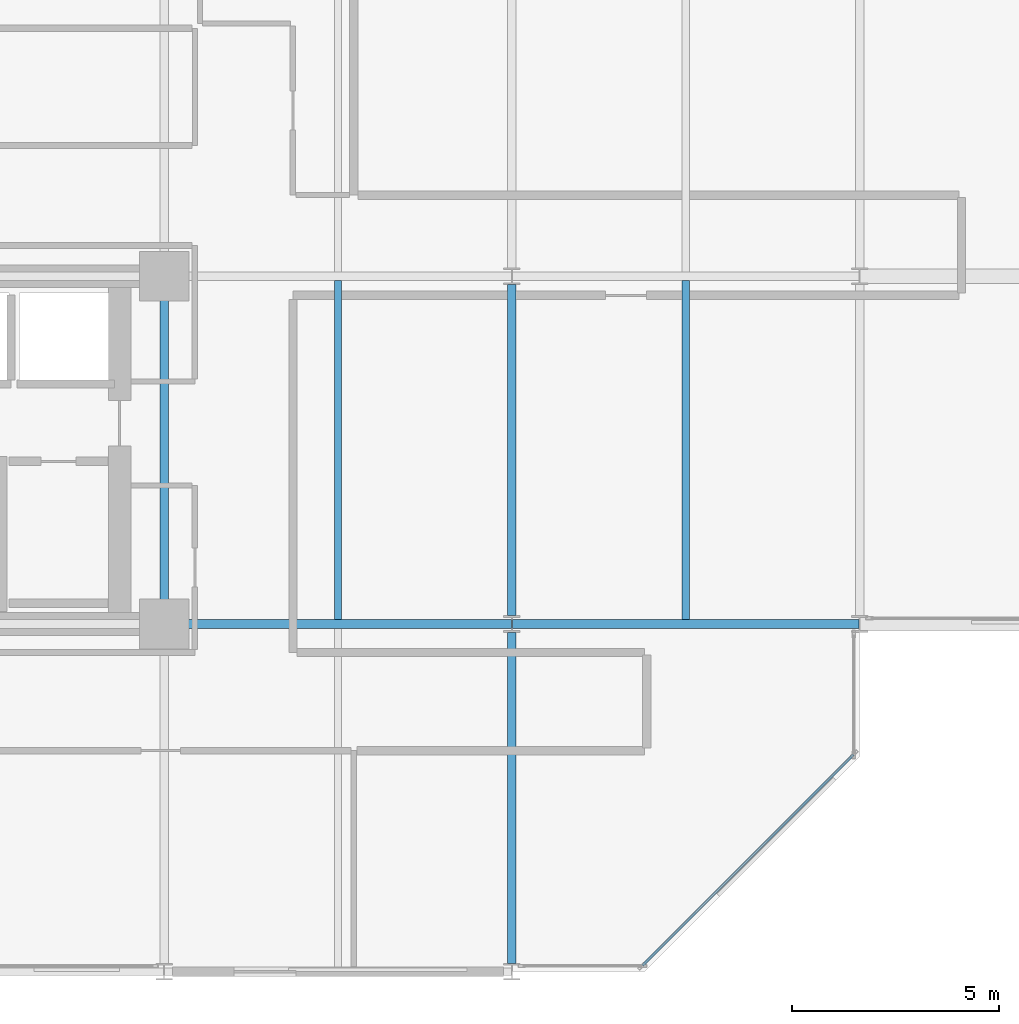
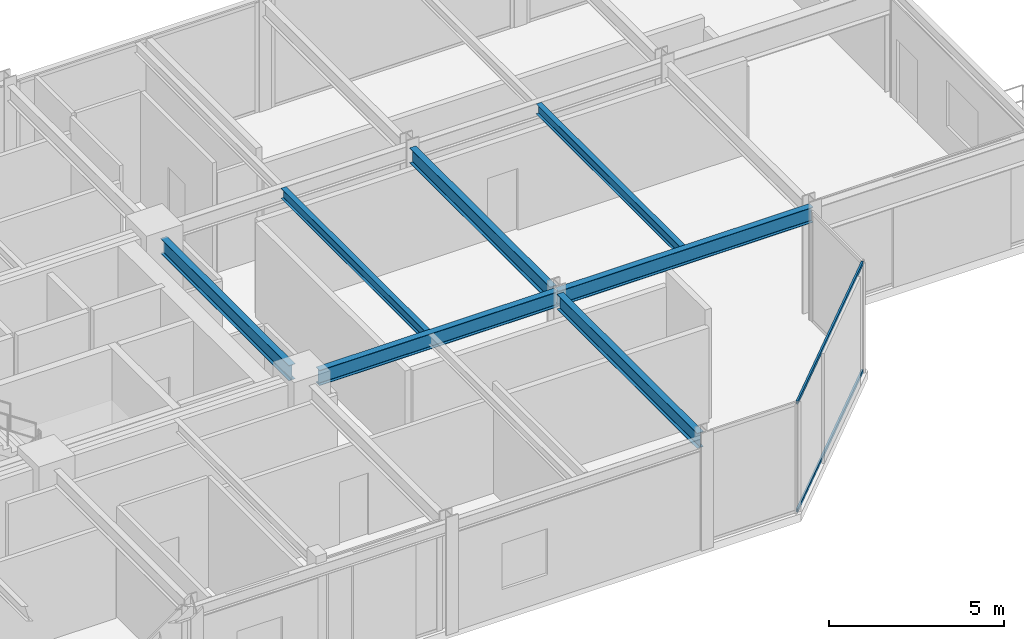
# One storey, part 17 of 38: 7 beams, 2 members, 1 element without a shape of its own.
"""IFC4 building model written with IfcOpenShell, lengths in metres."""

import ifcopenshell
import ifcopenshell.guid

model = None  # the IFC model being written
_history = None  # IfcOwnerHistory: only IFC2X3 demands one
_inside = {}  # id of a spatial element -> (the spatial element, [elements in it])
_under = {}  # id of a project, library or spatial element -> (it, [spatial elements below it])
_declared = {}  # id of a project -> (the project, [libraries it declares])
_typed = {}  # id of a type object -> (the type object, [elements of that type])
_made_of = {}  # id of a material, layer set ... -> (it, [elements and type objects made of it])


def new_model(schema):
    """Start an empty IFC model of exactly this schema.

    Asked for "IFC4X3", IfcOpenShell would pick the latest addendum, in which some entities
    have other attributes; the version numbers below select the first issue.
    IFC2X3 requires an IfcOwnerHistory on every rooted entity: one is made here for all.
    """
    global model, _history
    if schema == "IFC4X3":
        model = ifcopenshell.file(schema_version=(4, 3, 0, 0))
    else:
        model = ifcopenshell.file(schema=schema)
    _inside.clear()
    _under.clear()
    _declared.clear()
    _typed.clear()
    _made_of.clear()
    _history = None
    if model.schema == "IFC2X3":
        org = make("IfcOrganization", Name="unknown")
        user = make(
            "IfcPersonAndOrganization",
            ThePerson=make("IfcPerson", FamilyName="unknown"),
            TheOrganization=org,
        )
        app = make(
            "IfcApplication",
            ApplicationDeveloper=org,
            Version="unknown",
            ApplicationFullName="unknown",
            ApplicationIdentifier="unknown",
        )
        _history = make(
            "IfcOwnerHistory",
            OwningUser=user,
            OwningApplication=app,
            ChangeAction="ADDED",
            CreationDate=0,
        )
    return model


def make(cls, **values):
    """One entity of the class cls with the attributes given. An attribute that is None is left unset."""
    return model.create_entity(
        cls, **{name: value for name, value in values.items() if value is not None}
    )


def rooted(cls, **values):
    """An entity with a GlobalId (a new one), such as an element, a storey or a relation."""
    return make(cls, GlobalId=ifcopenshell.guid.new(), OwnerHistory=_history, **values)


def si_unit(unit_type, name, prefix=None):
    """IfcSIUnit, for example si_unit("LENGTHUNIT", "METRE", prefix="MILLI")."""
    return make("IfcSIUnit", UnitType=unit_type, Prefix=prefix, Name=name)


def assignment(units):
    """IfcUnitAssignment: the units of a project."""
    return None if units is None else make("IfcUnitAssignment", Units=units)


def point(xyz):
    """IfcCartesianPoint."""
    return None if xyz is None else make("IfcCartesianPoint", Coordinates=xyz)


def direction(xyz):
    """IfcDirection."""
    return None if xyz is None else make("IfcDirection", DirectionRatios=xyz)


def frame(location, z_axis=None, x_axis=None):
    """IfcAxis2Placement3D, a coordinate frame: its origin and axes. An axis left out is left unset."""
    return make(
        "IfcAxis2Placement3D",
        Location=point(location),
        Axis=direction(z_axis),
        RefDirection=direction(x_axis),
    )


def frame_2d(location, x_axis=None):
    """IfcAxis2Placement2D, a coordinate frame in the plane: its origin and x axis."""
    return make(
        "IfcAxis2Placement2D", Location=point(location), RefDirection=direction(x_axis)
    )


def origin():
    """The frame at (0, 0, 0) with its axes left unset."""
    return frame((0.0, 0.0, 0.0))


def origin_2d():
    """The frame at (0, 0) in the plane with its x axis left unset."""
    return frame_2d((0.0, 0.0))


def place(relative_to, where):
    """IfcLocalPlacement: puts the frame where relative to a parent placement (None: the world)."""
    return make(
        "IfcLocalPlacement", PlacementRelTo=relative_to, RelativePlacement=where
    )


def context(
    kind, dimensions, precision=None, world=None, true_north=None, identifier=None
):
    """IfcGeometricRepresentationContext, for example the 3D "Model" context."""
    return make(
        "IfcGeometricRepresentationContext",
        ContextIdentifier=identifier,
        ContextType=kind,
        CoordinateSpaceDimension=dimensions,
        Precision=precision,
        WorldCoordinateSystem=world,
        TrueNorth=true_north,
    )


def subcontext(parent, identifier, kind, view, scale=None):
    """IfcGeometricRepresentationSubContext, for example "Body" below "Model"."""
    return make(
        "IfcGeometricRepresentationSubContext",
        ContextIdentifier=identifier,
        ContextType=kind,
        ParentContext=parent,
        TargetScale=scale,
        TargetView=view,
    )


def project(units=None, contexts=None):
    """IfcProject with its units and contexts."""
    return rooted(
        "IfcProject",
        Name="project",
        RepresentationContexts=contexts,
        UnitsInContext=assignment(units),
    )


def spatial(cls, under=None, at=None, **own):
    """A site, building, storey or space (cls), placed at a placement, below another one or the project."""
    s = rooted(cls, ObjectPlacement=at, **own)
    if under is not None:
        _under.setdefault(under.id(), (under, []))[1].append(s)
    return s


def profile(cls, at=None, kind="AREA", **sizes):
    """A parametric profile (cls). Its sizes go by their IFC names, for example OverallWidth=200.0."""
    return make(cls, ProfileType=kind, Position=at, **sizes)


def hollow_rectangle(**sizes):
    """IfcRectangleHollowProfileDef."""
    return profile("IfcRectangleHollowProfileDef", **sizes)


def i_section(**sizes):
    """IfcIShapeProfileDef."""
    return profile("IfcIShapeProfileDef", **sizes)


def extrude(swept, where, along, depth):
    """IfcExtrudedAreaSolid: the profile swept, set in the frame where, extruded along a direction by depth."""
    return make(
        "IfcExtrudedAreaSolid",
        SweptArea=swept,
        Position=where,
        ExtrudedDirection=direction(along),
        Depth=depth,
    )


def shape(context_of_items, identifier, shape_type, items):
    """IfcShapeRepresentation: the items that make up one representation, for example the "Body"."""
    return make(
        "IfcShapeRepresentation",
        ContextOfItems=context_of_items,
        RepresentationIdentifier=identifier,
        RepresentationType=shape_type,
        Items=items,
    )


def material(Name=None, Category=None):
    """IfcMaterial."""
    return make("IfcMaterial", Name=Name, Category=Category)


def layer(
    of_material, thickness, ventilated=None, Name=None, Category=None, Priority=None
):
    """IfcMaterialLayer: one layer of a wall or slab, of a material (None: an air gap)."""
    return make(
        "IfcMaterialLayer",
        Material=of_material,
        LayerThickness=thickness,
        IsVentilated=ventilated,
        Name=Name,
        Category=Category,
        Priority=Priority,
    )


def layer_set(layers, Name=None):
    """IfcMaterialLayerSet."""
    return make("IfcMaterialLayerSet", MaterialLayers=layers, LayerSetName=Name)


def material_profile(
    of_material, cross_section, Name=None, Category=None, Priority=None
):
    """IfcMaterialProfile: a cross section and its material."""
    return make(
        "IfcMaterialProfile",
        Name=Name,
        Material=of_material,
        Profile=cross_section,
        Priority=Priority,
        Category=Category,
    )


def profile_set(profiles, Name=None, composite=None):
    """IfcMaterialProfileSet."""
    return make(
        "IfcMaterialProfileSet",
        Name=Name,
        MaterialProfiles=profiles,
        CompositeProfile=composite,
    )


def made_of(thing, what):
    """Note that an element or type object is made of a material, layer set ...; save() writes the relation."""
    if what is not None:
        _made_of.setdefault(what.id(), (what, []))[1].append(thing)
    return thing


def type_object(cls, material=None, **own):
    """A type object (cls), such as IfcWallType, which elements share."""
    return made_of(rooted(cls, **own), material)


def element(
    cls,
    number,
    at=None,
    inside=None,
    cuts=None,
    type_object=None,
    material=None,
    context=None,
    identifier="Body",
    shape_type=None,
    held_by="IfcProductDefinitionShape",
    body=None,
    shapes=None,
    **own,
):
    """One element of the class cls, such as IfcWall. Its Tag is "e" and its number.

    at: its placement. inside: the storey or other place that contains it. cuts: it is an
    opening in that element (IfcRelVoidsElement). A single representation is given by context,
    identifier, shape_type and body (its items); several are given by shapes. held_by: the class
    of the entity that holds the representations. save() writes the other relations.
    """
    e = rooted(cls, Tag="e%d" % number, ObjectPlacement=at, **own)
    if body is not None:
        shapes = [shape(context, identifier, shape_type, body)]
    if shapes is not None:
        e.Representation = make(held_by, Representations=shapes)
    if inside is not None:
        _inside.setdefault(inside.id(), (inside, []))[1].append(e)
    if cuts is not None:
        rooted(
            "IfcRelVoidsElement", RelatingBuildingElement=cuts, RelatedOpeningElement=e
        )
    if type_object is not None:
        _typed.setdefault(type_object.id(), (type_object, []))[1].append(e)
    return made_of(e, material)


def aggregate(whole, parts):
    """IfcRelAggregates: a whole, such as a stair, and the parts it consists of."""
    return rooted("IfcRelAggregates", RelatingObject=whole, RelatedObjects=parts)


def save(model, path):
    """Write the relations noted so far, then the file.

    IfcRelAggregates (storeys below a building ...), IfcRelContainedInSpatialStructure (elements
    in a storey), IfcRelDefinesByType, IfcRelAssociatesMaterial and IfcRelDeclares: one each for
    every whole, place, type object, material and project.
    """
    for whole, parts in _under.values():
        aggregate(whole, parts)
    for where, things in _inside.values():
        rooted(
            "IfcRelContainedInSpatialStructure",
            RelatedElements=things,
            RelatingStructure=where,
        )
    for kind, things in _typed.values():
        rooted("IfcRelDefinesByType", RelatedObjects=things, RelatingType=kind)
    for what, things in _made_of.values():
        rooted("IfcRelAssociatesMaterial", RelatedObjects=things, RelatingMaterial=what)
    for by, libraries in _declared.values():
        rooted("IfcRelDeclares", RelatingContext=by, RelatedDefinitions=libraries)
    model.write(path)


model = new_model("IFC4")

# Units and contexts
model_context = context("Model", 3, precision=1e-05, world=origin(), true_north=direction((0.0, 1.0)))
body_context = subcontext(model_context, "Body", "Model", "MODEL_VIEW")
ifc_project = project(units=[si_unit("LENGTHUNIT", "METRE"), si_unit("AREAUNIT", "SQUARE_METRE"), si_unit("VOLUMEUNIT", "CUBIC_METRE"), si_unit("PLANEANGLEUNIT", "RADIAN"), si_unit("MASSUNIT", "GRAM", prefix="KILO")], contexts=[model_context])

# Site, building, storey
site_placement = place(None, origin())
site = spatial("IfcSite", under=ifc_project, at=site_placement, CompositionType="ELEMENT")
building_placement = place(site_placement, origin())
building = spatial("IfcBuilding", under=site, at=building_placement, Name="Nerrivon Quay Data Exchange", CompositionType="ELEMENT")
storey_placement = place(building_placement, frame((0.0, 0.0, 88.5)))
storey = spatial("IfcBuildingStorey", under=building, at=storey_placement, Name="L20", CompositionType="ELEMENT", Elevation=88.5)

# Beams
ifc_material_1 = material(Name="Steel Grade 350", Category="steel")
ifc_material_profile_1 = material_profile(ifc_material_1, i_section(OverallWidth=0.208984375, OverallDepth=0.532958984375, WebThickness=0.01025390625, FlangeThickness=0.015625, FilletRadius=0.013916015625, at=origin_2d()), Name="530UB92.4")
ifc_profile_set_1 = profile_set([ifc_material_profile_1], Name="Steel Grade 350")
beam_type_1 = type_object("IfcBeamType", Name="BM-G3-530UB92", PredefinedType="BEAM", material=ifc_profile_set_1)
beam_1_placement = place(storey_placement, frame((34.139892578125, 8.39990234375, 3.55859375), z_axis=(1.0, 0.0, 0.0), x_axis=(0.0, 1.0, 0.0)))
element("IfcBeam", 1, at=beam_1_placement, inside=storey, type_object=beam_type_1, Name="L20 EW Girder Y=8.4 (33.6..42.0)", PredefinedType="BEAM", context=body_context, shape_type="SweptSolid", body=[
    extrude(i_section(OverallWidth=0.208984375, OverallDepth=0.532958984375, WebThickness=0.01025390625, FlangeThickness=0.015625, FilletRadius=0.013916015625, at=origin_2d()), origin(), (0.0, 0.0, 1.0), 7.84765625),
])
beam_2_placement = place(storey_placement, frame((42.012451171875, 8.39990234375, 3.55859375), z_axis=(1.0, 0.0, 0.0), x_axis=(0.0, 1.0, 0.0)))
element("IfcBeam", 2, at=beam_2_placement, inside=storey, type_object=beam_type_1, Name="L20 EW Girder Y=8.4 (42.0..50.4)", PredefinedType="BEAM", context=body_context, shape_type="SweptSolid", body=[
    extrude(i_section(OverallWidth=0.208984375, OverallDepth=0.532958984375, WebThickness=0.01025390625, FlangeThickness=0.015625, FilletRadius=0.013916015625, at=origin_2d()), origin(), (0.0, 0.0, 1.0), 8.375),
])
ifc_material_profile_2 = material_profile(ifc_material_1, i_section(OverallWidth=0.208984375, OverallDepth=0.528076171875, WebThickness=0.009521484375, FlangeThickness=0.01318359375, FilletRadius=0.013916015625, at=origin_2d()), Name="530UB82.0")
ifc_profile_set_2 = profile_set([ifc_material_profile_2], Name="Steel Grade 350")
beam_type_2 = type_object("IfcBeamType", Name="BM-G4-530UB82", PredefinedType="BEAM", material=ifc_profile_set_2)
beam_3_placement = place(storey_placement, frame((33.60009765625, 8.93994140625, 3.56103515625), z_axis=(0.0, 1.0, 0.0), x_axis=(-1.0, 0.0, 0.0)))
element("IfcBeam", 3, at=beam_3_placement, inside=storey, type_object=beam_type_2, Name="L20 NS Girder X=33.6 (8.4..16.8)", PredefinedType="BEAM", context=body_context, shape_type="SweptSolid", body=[
    extrude(i_section(OverallWidth=0.208984375, OverallDepth=0.528076171875, WebThickness=0.009521484375, FlangeThickness=0.01318359375, FilletRadius=0.013916015625, at=origin_2d()), origin(), (0.0, 0.0, 1.0), 7.320068359375),
])
for number, where, z_axis, x_axis, name in (
    (4, (42.0, 0.199951171875, 3.56103515625), (0.0, 1.0, 0.0), (-1.0, 0.0, 0.0), "L20 NS Girder X=42.0 (0.0..8.4)"),
    (5, (42.0, 8.60009765625, 3.56103515625), (0.0, 1.0, 0.0), (-1.0, 0.0, 0.0), "L20 NS Girder X=42.0 (8.4..16.8)"),
):
    element("IfcBeam", number, at=place(storey_placement, frame(where, z_axis=z_axis, x_axis=x_axis)), inside=storey, type_object=beam_type_2, Name=name, PredefinedType="BEAM", context=body_context, shape_type="SweptSolid", body=[
        extrude(i_section(OverallWidth=0.208984375, OverallDepth=0.528076171875, WebThickness=0.009521484375, FlangeThickness=0.01318359375, FilletRadius=0.013916015625, at=origin_2d()), origin(), (0.0, 0.0, 1.0), 8.0),
    ])
ifc_material_profile_3 = material_profile(ifc_material_1, i_section(OverallWidth=0.1708984375, OverallDepth=0.35595703125, WebThickness=0.00732421875, FlangeThickness=0.011474609375, FilletRadius=0.011474609375, at=origin_2d()), Name="360UB50.7")
ifc_profile_set_3 = profile_set([ifc_material_profile_3], Name="Steel Grade 350")
beam_type_3 = type_object("IfcBeamType", Name="BM-J4-360UB51", PredefinedType="JOIST", material=ifc_profile_set_3)
for number, where, z_axis, x_axis, name in (
    (6, (37.800048828125, 8.50439453125, 3.64697265625), (0.0, 1.0, 0.0), (-1.0, 0.0, 0.0), "L20 Secondary Joist X=37.8 (8.4..16.8)"),
    (7, (46.199951171875, 8.50439453125, 3.64697265625), (0.0, 1.0, 0.0), (-1.0, 0.0, 0.0), "L20 Secondary Joist X=46.2 (8.4..16.8)"),
):
    element("IfcBeam", number, at=place(storey_placement, frame(where, z_axis=z_axis, x_axis=x_axis)), inside=storey, type_object=beam_type_3, Name=name, PredefinedType="JOIST", context=body_context, shape_type="SweptSolid", body=[
        extrude(i_section(OverallWidth=0.1708984375, OverallDepth=0.35595703125, WebThickness=0.00732421875, FlangeThickness=0.011474609375, FilletRadius=0.011474609375, at=origin_2d()), origin(), (0.0, 0.0, 1.0), 8.191162109375),
    ])

# Curtain wall, members
ifc_material_2 = material(Name="Anodised aluminium 6063-T6", Category="aluminium")
ifc_layer = layer(ifc_material_2, 0.2099609375)
ifc_layer_set = layer_set([ifc_layer], Name="Anodised aluminium 6063-T6")
curtain_wall_type = type_object("IfcCurtainWallType", Name="CW-SYS-02", PredefinedType="NOTDEFINED", material=ifc_layer_set)
curtain_wall_placement = place(storey_placement, origin())
curtain_wall = element("IfcCurtainWall", 8, at=curtain_wall_placement, inside=storey, type_object=curtain_wall_type, Name="L20 Unitised Curtain Wall 5", PredefinedType="NOTDEFINED")
ifc_material_profile_4 = material_profile(ifc_material_2, hollow_rectangle(XDim=0.06005859375, YDim=0.1201171875, WallThickness=0.003173828125, at=origin_2d()), Name="ALU-TRAN-120x60")
ifc_profile_set_4 = profile_set([ifc_material_profile_4], Name="Anodised aluminium 6063-T6")
member_type = type_object("IfcMemberType", Name="CWT-120x60", PredefinedType="USERDEFINED", material=ifc_profile_set_4)
member_1_placement = place(storey_placement, frame((50.248046875, 5.245849609375, 0.032470703125), z_axis=(-0.707123726196, -0.707089835771, 0.0), x_axis=(0.707089835771, -0.707123726196, 0.0)))
member_1 = element("IfcMember", 9, at=member_1_placement, type_object=member_type, Name="CW02 transom 1.1", ObjectType="TRANSOM", PredefinedType="USERDEFINED", context=body_context, shape_type="SweptSolid", body=[
    extrude(hollow_rectangle(XDim=0.06005859375, YDim=0.1201171875, WallThickness=0.003173828125, at=origin_2d()), origin(), (0.0, 0.0, 1.0), 7.203857421875),
])
member_2_placement = place(storey_placement, frame((50.248046875, 5.245849609375, 3.79248046875), z_axis=(-0.707123726196, -0.707089835771, 0.0), x_axis=(0.707089835771, -0.707123726196, 0.0)))
member_2 = element("IfcMember", 10, at=member_2_placement, type_object=member_type, Name="CW02 transom 1.2", ObjectType="TRANSOM", PredefinedType="USERDEFINED", context=body_context, shape_type="SweptSolid", body=[
    extrude(hollow_rectangle(XDim=0.06005859375, YDim=0.1201171875, WallThickness=0.003173828125, at=origin_2d()), origin(), (0.0, 0.0, 1.0), 7.203857421875),
])
aggregate(curtain_wall, [member_1, member_2])

save(model, "model.ifc")
